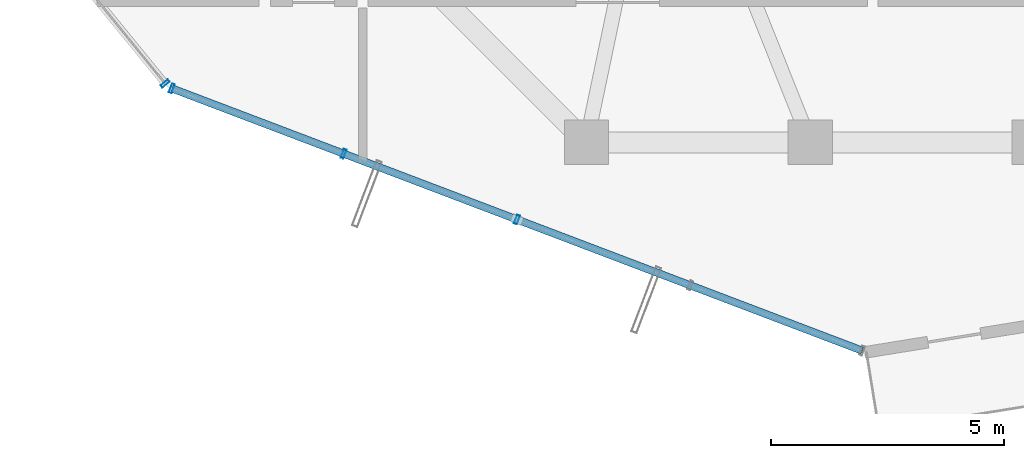
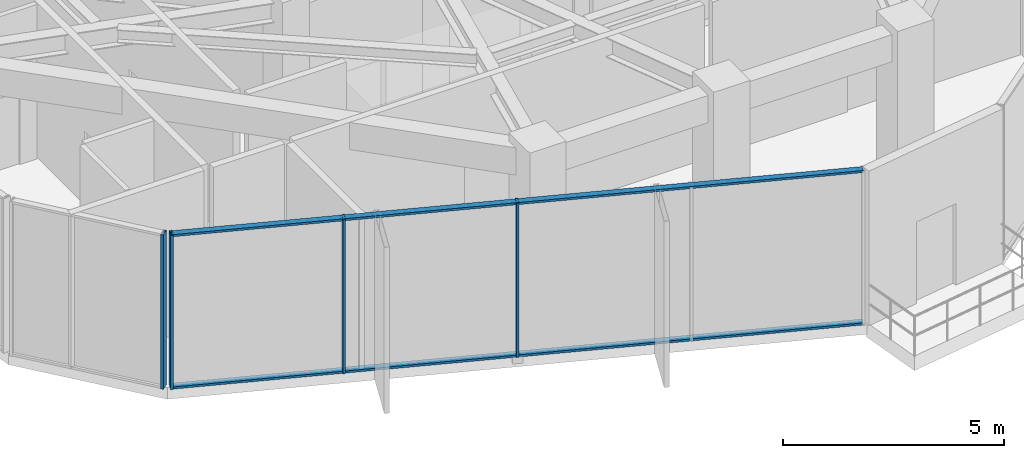
# One storey, part 2 of 22: 6 members, 2 elements without a shape of their own.
"""IFC4 building model written with IfcOpenShell, lengths in metres."""

from ifc_helpers import new_model, si_unit, direction, frame, origin, origin_2d, place, context, subcontext, project, spatial, hollow_rectangle, extrude, source, transform, mapped, material, layer, layer_set, material_profile, profile_set, type_object, element, aggregate, save


model = new_model("IFC4")

# Units and contexts
model_context = context("Model", 3, precision=1e-05, world=origin(), true_north=direction((0.0, 1.0)))
body_context = subcontext(model_context, "Body", "Model", "MODEL_VIEW")
ifc_project = project(units=[si_unit("LENGTHUNIT", "METRE"), si_unit("AREAUNIT", "SQUARE_METRE"), si_unit("VOLUMEUNIT", "CUBIC_METRE"), si_unit("PLANEANGLEUNIT", "RADIAN"), si_unit("MASSUNIT", "GRAM", prefix="KILO")], contexts=[model_context])

# Site, building, storey
site_placement = place(None, origin())
site = spatial("IfcSite", under=ifc_project, at=site_placement, CompositionType="ELEMENT")
building_placement = place(site_placement, origin())
building = spatial("IfcBuilding", under=site, at=building_placement, Name="Veraguas Prism Commons", CompositionType="ELEMENT")
storey_placement = place(building_placement, frame((0.0, 0.0, 174.35009765625)))
storey = spatial("IfcBuildingStorey", under=building, at=storey_placement, Name="L49", CompositionType="ELEMENT", Elevation=174.35009765625)

# Curtain wall, members
ifc_material = material(Name="Anodised aluminium EN AW-6063 T6", Category="aluminium")
ifc_layer = layer(ifc_material, 0.199951171875, Name="Sky Lobby and Pool Acoustic Curtain Wall", Category="aluminium")
ifc_layer_set = layer_set([ifc_layer], Name="Anodised aluminium EN AW-6063 T6")
curtain_wall_type = type_object("IfcCurtainWallType", Name="Sky Lobby and Pool Acoustic Curtain Wall", PredefinedType="NOTDEFINED", material=ifc_layer_set)
curtain_wall_1_placement = place(storey_placement, origin())
curtain_wall_1 = element("IfcCurtainWall", 1, at=curtain_wall_1_placement, inside=storey, type_object=curtain_wall_type, Name="Tower Facade Curtain Wall L49-F4", PredefinedType="NOTDEFINED")
ifc_material_profile_1 = material_profile(ifc_material, hollow_rectangle(XDim=0.06494140625, YDim=0.199951171875, WallThickness=0.00390625, at=origin_2d()), Name="AL65X200X4")
ifc_profile_set_1 = profile_set([ifc_material_profile_1], Name="Anodised aluminium EN AW-6063 T6")
member_type_1 = type_object("IfcMemberType", Name="Curtain Wall Mullion Heavy AL 65x200x4", PredefinedType="MULLION", material=ifc_profile_set_1)
shared_shape_1 = source(origin(), body_context, "Body", "SweptSolid", [
    extrude(hollow_rectangle(XDim=0.06494140625, YDim=0.199951171875, WallThickness=0.00390625, at=origin_2d()), origin(), (0.0, 0.0, 1.0), 4.264892578125),
])
member_1_placement = place(storey_placement, frame((10.308349609375, 10.256103515625, 0.0), z_axis=(0.0, 0.0, 1.0), x_axis=(0.934825056616, -0.355108593986, 0.0)))
member_1 = element("IfcMember", 2, at=member_1_placement, type_object=member_type_1, Name="CW-SKY Mullion 1", PredefinedType="MULLION", context=body_context, shape_type="MappedRepresentation", body=[
    mapped(shared_shape_1, transform((0.0, 0.0, 0.0), scale=1.0)),
])
member_2_placement = place(storey_placement, frame((13.994384765625, 8.855712890625, 0.0), z_axis=(0.0, 0.0, 1.0), x_axis=(0.934825056616, -0.355108593986, 0.0)))
member_2 = element("IfcMember", 3, at=member_2_placement, type_object=member_type_1, Name="CW-SKY Mullion 2", PredefinedType="MULLION", context=body_context, shape_type="MappedRepresentation", body=[
    mapped(shared_shape_1, transform((0.0, 0.0, 0.0), scale=1.0)),
])
member_3_placement = place(storey_placement, frame((17.7109375, 7.444091796875, 0.0), z_axis=(0.0, 0.0, 1.0), x_axis=(0.934825056616, -0.355108593986, 0.0)))
member_3 = element("IfcMember", 4, at=member_3_placement, type_object=member_type_1, Name="CW-SKY Mullion 3", PredefinedType="MULLION", context=body_context, shape_type="MappedRepresentation", body=[
    mapped(shared_shape_1, transform((0.0, 0.0, 0.0), scale=1.0)),
])

# Curtain wall, member
curtain_wall_2_placement = place(storey_placement, origin())
curtain_wall_2 = element("IfcCurtainWall", 5, at=curtain_wall_2_placement, inside=storey, type_object=curtain_wall_type, Name="Chamfer Curtain Wall L49-C4", PredefinedType="NOTDEFINED")
member_4_placement = place(storey_placement, frame((10.16357421875, 10.360595703125, 0.0), z_axis=(0.0, 0.0, 1.0), x_axis=(0.632050942951, -0.774926838814, 0.0)))
member_4 = element("IfcMember", 6, at=member_4_placement, type_object=member_type_1, Name="CW-SKY Mullion 2", PredefinedType="MULLION", context=body_context, shape_type="MappedRepresentation", body=[
    mapped(shared_shape_1, transform((0.0, 0.0, 0.0), scale=1.0)),
])
aggregate(curtain_wall_2, [member_4])

# Member
ifc_material_profile_2 = material_profile(ifc_material, hollow_rectangle(XDim=0.06005859375, YDim=0.159912109375, WallThickness=0.0029296875, at=origin_2d()), Name="AL60X160X3")
ifc_profile_set_2 = profile_set([ifc_material_profile_2], Name="Anodised aluminium EN AW-6063 T6")
member_type_2 = type_object("IfcMemberType", Name="Curtain Wall Transom Heavy AL 60x160x3", PredefinedType="USERDEFINED", material=ifc_profile_set_2)
shared_shape_2 = source(origin(), body_context, "Body", "SweptSolid", [
    extrude(hollow_rectangle(XDim=0.06005859375, YDim=0.159912109375, WallThickness=0.0029296875, at=origin_2d()), origin(), (0.0, 0.0, 1.0), 15.83740234375),
])
member_5_placement = place(storey_placement, frame((10.308349609375, 10.256103515625, 0.02978515625), z_axis=(0.934824319531, -0.355110534361, 0.0), x_axis=(0.0, 0.0, 1.0)))
member_5 = element("IfcMember", 7, at=member_5_placement, type_object=member_type_2, Name="CW-SKY Transom 1", ObjectType="TRANSOM", PredefinedType="USERDEFINED", context=body_context, shape_type="MappedRepresentation", body=[
    mapped(shared_shape_2, transform((0.0, 0.0, 0.0), scale=1.0)),
])

member_6_placement = place(storey_placement, frame((10.308349609375, 10.256103515625, 4.23486328125), z_axis=(0.934824319531, -0.355110534361, 0.0), x_axis=(0.0, 0.0, 1.0)))
member_6 = element("IfcMember", 8, at=member_6_placement, type_object=member_type_2, Name="CW-SKY Transom 2", ObjectType="TRANSOM", PredefinedType="USERDEFINED", context=body_context, shape_type="MappedRepresentation", body=[
    mapped(shared_shape_2, transform((0.0, 0.0, 0.0), scale=1.0)),
])

aggregate(curtain_wall_1, [member_1, member_2, member_3, member_5, member_6])

save(model, "model.ifc")
